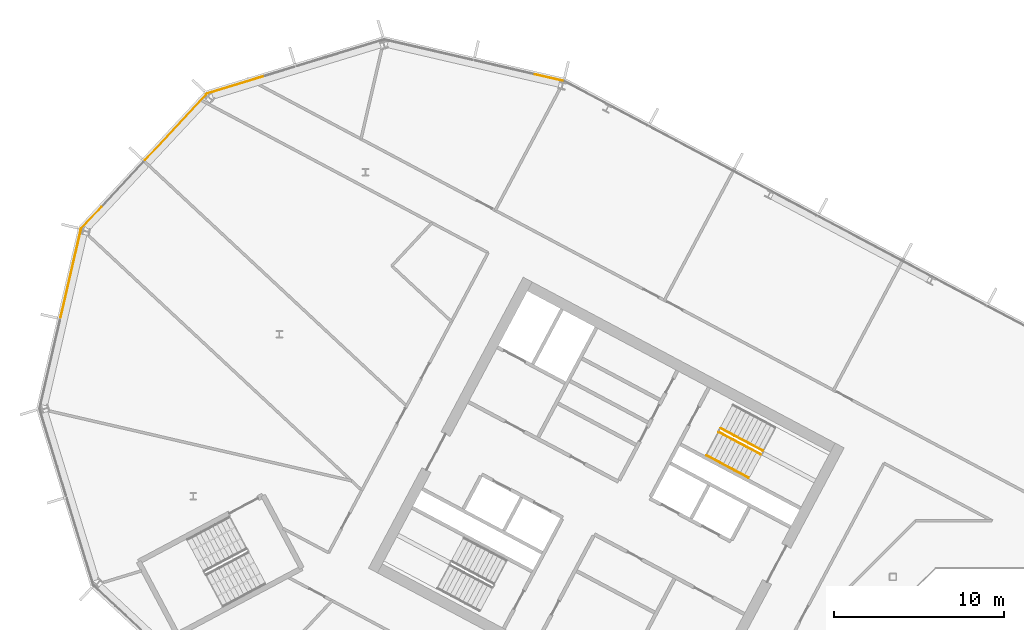
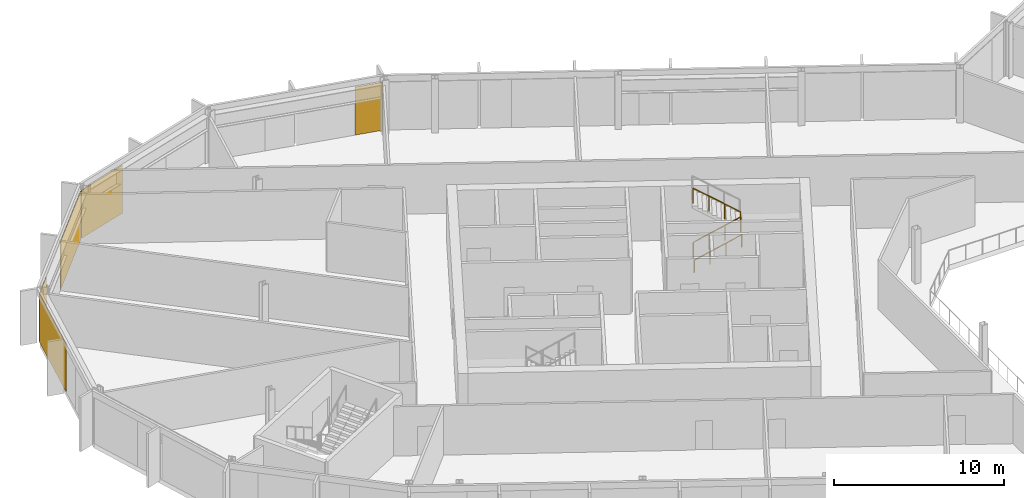
# One storey, part 21 of 26: 5 coverings, 3 railings, 4 elements without a shape of their own.
"""IFC4 building model written with IfcOpenShell, lengths in metres."""

from ifc_helpers import new_model, si_unit, direction, frame, origin, origin_2d, place, context, subcontext, project, spatial, polyline, rectangle, outline, extrude, material, layer, layer_set, type_object, element, aggregate, save


model = new_model("IFC4")

# Units and contexts
model_context = context("Model", 3, precision=1e-05, world=origin(), true_north=direction((0.0, 1.0)))
body_context = subcontext(model_context, "Body", "Model", "MODEL_VIEW")
ifc_project = project(units=[si_unit("LENGTHUNIT", "METRE"), si_unit("AREAUNIT", "SQUARE_METRE"), si_unit("VOLUMEUNIT", "CUBIC_METRE"), si_unit("PLANEANGLEUNIT", "RADIAN"), si_unit("MASSUNIT", "GRAM", prefix="KILO")], contexts=[model_context])

# Site, building, storey
site_placement = place(None, origin())
site = spatial("IfcSite", under=ifc_project, at=site_placement, CompositionType="ELEMENT")
building_placement = place(site_placement, origin())
building = spatial("IfcBuilding", under=site, at=building_placement, Name="Cormorant Relay Tower", CompositionType="ELEMENT")
storey_placement = place(building_placement, frame((0.0, 0.0, 205.199951171875)))
storey = spatial("IfcBuildingStorey", under=building, at=storey_placement, Name="L44", CompositionType="ELEMENT", Elevation=205.199951171875)

# Curtain wall, covering
ifc_material_1 = material(Name="Aluminium 6063-T6 anodised bronze", Category="aluminium")
ifc_layer_1 = layer(ifc_material_1, 0.199951171875)
ifc_layer_set_1 = layer_set([ifc_layer_1], Name="CW1 unitised bronze curtain wall with vertical fins")
curtain_wall_type = type_object("IfcCurtainWallType", Name="CW1 unitised bronze curtain wall with vertical fins", PredefinedType="NOTDEFINED", material=ifc_layer_set_1)
curtain_wall_1_placement = place(storey_placement, origin())
curtain_wall_1 = element("IfcCurtainWall", 1, at=curtain_wall_1_placement, inside=storey, type_object=curtain_wall_type, Name="CW1 curtain wall 10", PredefinedType="NOTDEFINED")
ifc_material_2 = material(Name="Pale bronze anodised aluminium insulated panel", Category="aluminium")
ifc_layer_2 = layer(ifc_material_2, 0.0400390625)
ifc_layer_set_2 = layer_set([ifc_layer_2], Name="CW1 pale bronze insulated panel 40")
covering_type = type_object("IfcCoveringType", Name="CW1 pale bronze insulated panel 40", PredefinedType="CLADDING", material=ifc_layer_set_2)
covering_1_placement = place(storey_placement, frame((-30.76318359375, 39.89404296875, 0.0), z_axis=(0.0, 0.0, 1.0), x_axis=(-0.974370064785, 0.224951054344, 0.0)))
covering_1 = element("IfcCovering", 2, at=covering_1_placement, type_object=covering_type, Name="CW1 panel S00", PredefinedType="CLADDING", context=body_context, shape_type="SweptSolid", body=[
    extrude(rectangle(XDim=1.685302734375, YDim=0.0400390625, at=origin_2d()), origin(), (0.0, 0.0, 1.0), 3.449951171875),
])
aggregate(curtain_wall_1, [covering_1])

curtain_wall_2_placement = place(storey_placement, origin())
curtain_wall_2 = element("IfcCurtainWall", 3, at=curtain_wall_2_placement, inside=storey, type_object=curtain_wall_type, Name="CW1 curtain wall 11", PredefinedType="NOTDEFINED")
covering_2_placement = place(storey_placement, frame((-49.16455078125, 39.474853515625, 0.0), z_axis=(0.0, 0.0, 1.0), x_axis=(-0.956304755963, -0.292371704723, 0.0)))
covering_2 = element("IfcCovering", 4, at=covering_2_placement, type_object=covering_type, Name="CW1 panel S03", PredefinedType="CLADDING", context=body_context, shape_type="SweptSolid", body=[
    extrude(rectangle(XDim=3.560302734375, YDim=0.0400390625, at=origin_2d()), origin(), (0.0, 0.0, 1.0), 3.449951171875),
])
aggregate(curtain_wall_2, [covering_2])

# Curtain wall, coverings
curtain_wall_3_placement = place(storey_placement, origin())
curtain_wall_3 = element("IfcCurtainWall", 5, at=curtain_wall_3_placement, inside=storey, type_object=curtain_wall_type, Name="CW1 curtain wall 12", PredefinedType="NOTDEFINED")
covering_3_placement = place(storey_placement, frame((-52.72900390625, 36.961181640625, 0.0), z_axis=(0.0, 0.0, 1.0), x_axis=(-0.681998360062, -0.731353701619, 0.0)))
covering_3 = element("IfcCovering", 6, at=covering_3_placement, type_object=covering_type, Name="CW1 panel S00", PredefinedType="CLADDING", context=body_context, shape_type="SweptSolid", body=[
    extrude(rectangle(XDim=5.28515625, YDim=0.0400390625, at=origin_2d()), origin(), (0.0, 0.0, 1.0), 3.449951171875),
])
covering_4_placement = place(storey_placement, frame((-57.68896484375, 31.642333984375, 0.0), z_axis=(0.0, 0.0, 1.0), x_axis=(-0.681998360062, -0.731353701619, 0.0)))
covering_4 = element("IfcCovering", 7, at=covering_4_placement, type_object=covering_type, Name="CW1 panel S02", PredefinedType="CLADDING", context=body_context, shape_type="SweptSolid", body=[
    extrude(rectangle(XDim=1.76025390625, YDim=0.0400390625, at=origin_2d()), origin(), (0.0, 0.0, 1.0), 3.449951171875),
])
aggregate(curtain_wall_3, [covering_3, covering_4])

# Curtain wall, covering
curtain_wall_4_placement = place(storey_placement, origin())
curtain_wall_4 = element("IfcCurtainWall", 8, at=curtain_wall_4_placement, inside=storey, type_object=curtain_wall_type, Name="CW1 curtain wall 13", PredefinedType="NOTDEFINED")
covering_5_placement = place(storey_placement, frame((-58.905517578125, 28.341796875, 0.0), z_axis=(0.0, 0.0, 1.0), x_axis=(-0.224951054344, -0.974370064785, 0.0)))
covering_5 = element("IfcCovering", 9, at=covering_5_placement, type_object=covering_type, Name="CW1 panel S00", PredefinedType="CLADDING", context=body_context, shape_type="SweptSolid", body=[
    extrude(rectangle(XDim=5.28515625, YDim=0.0400390625, at=origin_2d()), origin(), (0.0, 0.0, 1.0), 3.449951171875),
])
aggregate(curtain_wall_4, [covering_5])

# Railings
ifc_material_3 = material(Name="Steel ASTM A572 Grade 50 (Fy 345 MPa)", Category="steel")
railing_type_1 = type_object("IfcRailingType", Name="Stair guard 1100", PredefinedType="GUARDRAIL", material=ifc_material_3)
railing_1_placement = place(storey_placement, frame((-20.75048828125, 19.017822265625, 0.17724609375)))
element("IfcRailing", 10, at=railing_1_placement, inside=storey, type_object=railing_type_1, Name="L44 A1 stair guard 1", PredefinedType="GUARDRAIL", context=body_context, shape_type="SweptSolid", body=[
    extrude(outline(polyline([(0.022216796875, 0.00927734375), (0.00927734375, 0.022216796875), (-0.00927734375, 0.022216796875), (-0.022216796875, 0.00927734375), (-0.022216796875, -0.00927734375), (-0.00927734375, -0.022216796875), (0.00927734375, -0.022216796875), (0.022216796875, -0.00927734375), (0.022216796875, 0.00927734375)])), frame((0.0, 0.0, 1.076171875), z_axis=(0.746001213114, -0.396649272309, 0.534931345884), x_axis=(0.469465464807, 0.882950835185, 0.0)), (0.0, 0.0, 1.0), 3.31396484375),
    extrude(outline(polyline([(0.019287109375, 0.008056640625), (0.008056640625, 0.019287109375), (-0.008056640625, 0.019287109375), (-0.019287109375, 0.008056640625), (-0.019287109375, -0.008056640625), (-0.008056640625, -0.019287109375), (0.008056640625, -0.019287109375), (0.019287109375, -0.008056640625), (0.019287109375, 0.008056640625)])), origin(), (0.0, 0.0, 1.0), 1.052001953125),
    extrude(outline(polyline([(0.019287109375, 0.008056640625), (0.008056640625, 0.019287109375), (-0.008056640625, 0.019287109375), (-0.019287109375, 0.008056640625), (-0.019287109375, -0.008056640625), (-0.008056640625, -0.019287109375), (0.008056640625, -0.019287109375), (0.019287109375, -0.008056640625), (0.019287109375, 0.008056640625)])), frame((0.823974609375, -0.438232421875, 0.5908203125)), (0.0, 0.0, 1.0), 1.052001953125),
    extrude(outline(polyline([(0.019287109375, 0.008056640625), (0.008056640625, 0.019287109375), (-0.008056640625, 0.019287109375), (-0.019287109375, 0.008056640625), (-0.019287109375, -0.008056640625), (-0.008056640625, -0.019287109375), (0.008056640625, -0.019287109375), (0.019287109375, -0.008056640625), (0.019287109375, 0.008056640625)])), frame((1.648193359375, -0.876220703125, 1.181884765625)), (0.0, 0.0, 1.0), 1.052001953125),
    extrude(outline(polyline([(0.019287109375, 0.008056640625), (0.008056640625, 0.019287109375), (-0.008056640625, 0.019287109375), (-0.019287109375, 0.008056640625), (-0.019287109375, -0.008056640625), (-0.008056640625, -0.019287109375), (0.008056640625, -0.019287109375), (0.019287109375, -0.008056640625), (0.019287109375, 0.008056640625)])), frame((2.47216796875, -1.314453125, 1.772705078125)), (0.0, 0.0, 1.0), 1.052001953125),
])
railing_2_placement = place(storey_placement, frame((-18.160888671875, 17.924072265625, 2.12744140625)))
element("IfcRailing", 11, at=railing_2_placement, inside=storey, type_object=railing_type_1, Name="L44 A1 stair guard 3", PredefinedType="GUARDRAIL", context=body_context, shape_type="SweptSolid", body=[
    extrude(outline(polyline([(0.022216796875, 0.00927734375), (0.00927734375, 0.022216796875), (-0.00927734375, 0.022216796875), (-0.022216796875, 0.00927734375), (-0.022216796875, -0.00927734375), (-0.00927734375, -0.022216796875), (0.00927734375, -0.022216796875), (0.022216796875, -0.00927734375), (0.022216796875, 0.00927734375)])), frame((0.0, 0.0, 1.076171875), z_axis=(-0.746033882577, 0.396627473466, 0.534901947407), x_axis=(-0.469429322983, -0.882970050864, 0.0)), (0.0, 0.0, 1.0), 3.31396484375),
    extrude(outline(polyline([(0.019287109375, 0.008056640625), (0.008056640625, 0.019287109375), (-0.008056640625, 0.019287109375), (-0.019287109375, 0.008056640625), (-0.019287109375, -0.008056640625), (-0.008056640625, -0.019287109375), (0.008056640625, -0.019287109375), (0.019287109375, -0.008056640625), (0.019287109375, 0.008056640625)])), origin(), (0.0, 0.0, 1.0), 1.052001953125),
    extrude(outline(polyline([(0.019287109375, 0.008056640625), (0.008056640625, 0.019287109375), (-0.008056640625, 0.019287109375), (-0.019287109375, 0.008056640625), (-0.019287109375, -0.008056640625), (-0.008056640625, -0.019287109375), (0.008056640625, -0.019287109375), (0.019287109375, -0.008056640625), (0.019287109375, 0.008056640625)])), frame((-0.82421875, 0.438232421875, 0.5908203125)), (0.0, 0.0, 1.0), 1.052001953125),
    extrude(outline(polyline([(0.019287109375, 0.008056640625), (0.008056640625, 0.019287109375), (-0.008056640625, 0.019287109375), (-0.019287109375, 0.008056640625), (-0.019287109375, -0.008056640625), (-0.008056640625, -0.019287109375), (0.008056640625, -0.019287109375), (0.019287109375, -0.008056640625), (0.019287109375, 0.008056640625)])), frame((-1.648193359375, 0.876220703125, 1.181884765625)), (0.0, 0.0, 1.0), 1.052001953125),
    extrude(outline(polyline([(0.019287109375, 0.008056640625), (0.008056640625, 0.019287109375), (-0.008056640625, 0.019287109375), (-0.019287109375, 0.008056640625), (-0.019287109375, -0.008056640625), (-0.008056640625, -0.019287109375), (0.008056640625, -0.019287109375), (0.019287109375, -0.008056640625), (0.019287109375, 0.008056640625)])), frame((-2.472412109375, 1.314453125, 1.772705078125)), (0.0, 0.0, 1.0), 1.052001953125),
])
ifc_material_4 = material(Name="Steel ASTM A572 Grade 50 (Fy 345 MPa)", Category="steel")
railing_type_2 = type_object("IfcRailingType", Name="Stair handrail 900", PredefinedType="HANDRAIL", material=ifc_material_4)
railing_3_placement = place(storey_placement, frame((-21.478271484375, 17.6494140625, 0.17724609375)))
element("IfcRailing", 12, at=railing_3_placement, inside=storey, type_object=railing_type_2, Name="L44 A1 stair handrail 1", PredefinedType="HANDRAIL", context=body_context, shape_type="SweptSolid", body=[
    extrude(outline(polyline([(0.022216796875, 0.00927734375), (0.00927734375, 0.022216796875), (-0.00927734375, 0.022216796875), (-0.022216796875, 0.00927734375), (-0.022216796875, -0.00927734375), (-0.00927734375, -0.022216796875), (0.00927734375, -0.022216796875), (0.022216796875, -0.00927734375), (0.022216796875, 0.00927734375)])), frame((0.0, 0.0, 0.8759765625), z_axis=(0.746012083385, -0.396689549623, 0.534886317514), x_axis=(0.469497295046, 0.882933910293, 0.0)), (0.0, 0.0, 1.0), 3.314208984375),
    extrude(outline(polyline([(0.019287109375, 0.008056640625), (0.008056640625, 0.019287109375), (-0.008056640625, 0.019287109375), (-0.019287109375, 0.008056640625), (-0.019287109375, -0.008056640625), (-0.008056640625, -0.019287109375), (0.008056640625, -0.019287109375), (0.019287109375, -0.008056640625), (0.019287109375, 0.008056640625)])), origin(), (0.0, 0.0, 1.0), 0.851806640625),
    extrude(outline(polyline([(0.019287109375, 0.008056640625), (0.008056640625, 0.019287109375), (-0.008056640625, 0.019287109375), (-0.019287109375, 0.008056640625), (-0.019287109375, -0.008056640625), (-0.008056640625, -0.019287109375), (0.008056640625, -0.019287109375), (0.019287109375, -0.008056640625), (0.019287109375, 0.008056640625)])), frame((0.82421875, -0.438232421875, 0.5908203125)), (0.0, 0.0, 1.0), 0.851806640625),
    extrude(outline(polyline([(0.019287109375, 0.008056640625), (0.008056640625, 0.019287109375), (-0.008056640625, 0.019287109375), (-0.019287109375, 0.008056640625), (-0.019287109375, -0.008056640625), (-0.008056640625, -0.019287109375), (0.008056640625, -0.019287109375), (0.019287109375, -0.008056640625), (0.019287109375, 0.008056640625)])), frame((1.648193359375, -0.87646484375, 1.181884765625)), (0.0, 0.0, 1.0), 0.851806640625),
    extrude(outline(polyline([(0.019287109375, 0.008056640625), (0.008056640625, 0.019287109375), (-0.008056640625, 0.019287109375), (-0.019287109375, 0.008056640625), (-0.019287109375, -0.008056640625), (-0.008056640625, -0.019287109375), (0.008056640625, -0.019287109375), (0.019287109375, -0.008056640625), (0.019287109375, 0.008056640625)])), frame((2.472412109375, -1.314697265625, 1.772705078125)), (0.0, 0.0, 1.0), 0.851806640625),
])

save(model, "model.ifc")
